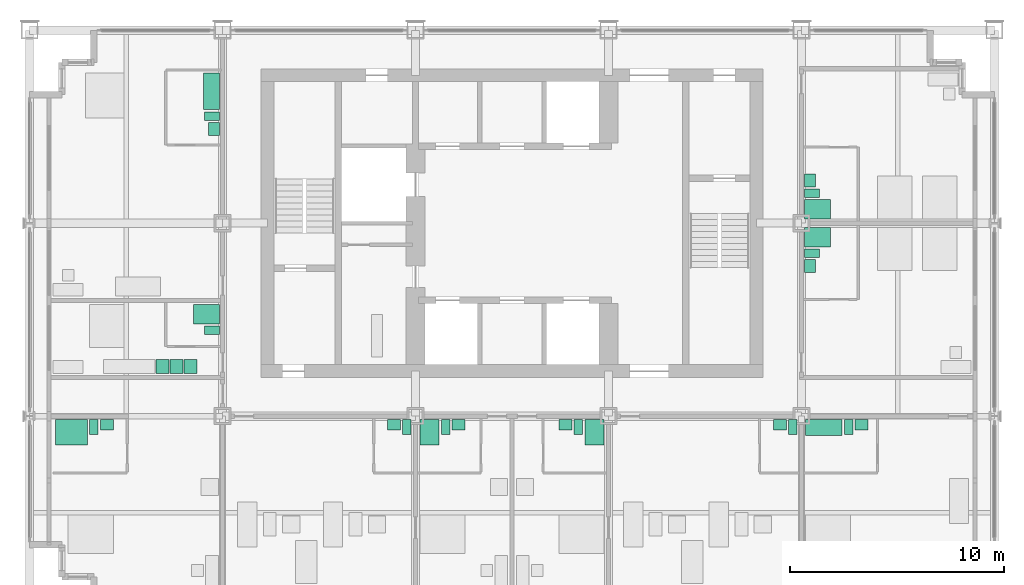
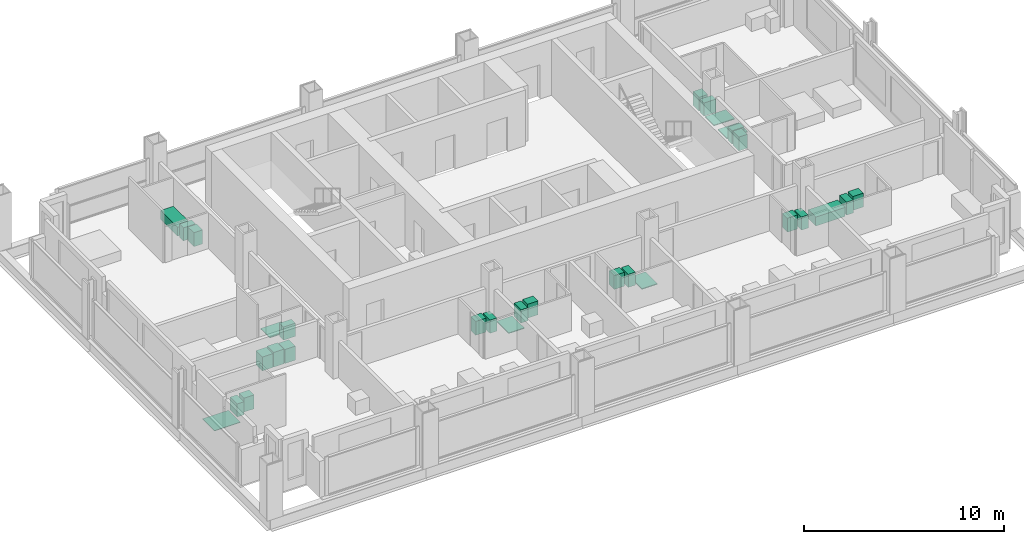
# One storey, part 12 of 13: 27 sanitary terminals, 3 electric appliances.
"""IFC4 building model written with IfcOpenShell, lengths in metres."""

from ifc_helpers import new_model, si_unit, direction, frame, origin, origin_2d, place, context, subcontext, project, spatial, rectangle, extrude, element, save


model = new_model("IFC4")

# Units and contexts
model_context = context("Model", 3, precision=1e-05, world=origin(), true_north=direction((0.0, 1.0)))
body_context = subcontext(model_context, "Body", "Model", "MODEL_VIEW")
ifc_project = project(units=[si_unit("LENGTHUNIT", "METRE"), si_unit("AREAUNIT", "SQUARE_METRE"), si_unit("VOLUMEUNIT", "CUBIC_METRE"), si_unit("PLANEANGLEUNIT", "RADIAN"), si_unit("MASSUNIT", "GRAM", prefix="KILO")], contexts=[model_context])

# Site, building, storey
site_placement = place(None, origin())
site = spatial("IfcSite", under=ifc_project, at=site_placement, CompositionType="ELEMENT")
building_placement = place(site_placement, origin())
building = spatial("IfcBuilding", under=site, at=building_placement, Name="Loomwork Tower", CompositionType="ELEMENT")
storey_placement = place(building_placement, frame((0.0, 0.0, 218.199951171875)))
storey = spatial("IfcBuildingStorey", under=building, at=storey_placement, Name="L60", CompositionType="ELEMENT", Elevation=218.199951171875)

# Sanitary terminals
sanitary_terminal_1_placement = place(storey_placement, frame((1.949951171875, 8.25, 0.0), z_axis=(0.0, 0.0, 1.0), x_axis=(1.0, 0.0, 0.0)))
element("IfcSanitaryTerminal", 1, at=sanitary_terminal_1_placement, inside=storey, Name="Roll-in shower floor L60", PredefinedType="SHOWER", context=body_context, shape_type="SweptSolid", body=[
    extrude(rectangle(XDim=1.5, YDim=1.199951171875, at=origin_2d()), origin(), (0.0, 0.0, 1.0), 0.030029296875),
])
sanitary_terminal_2_placement = place(storey_placement, frame((3.0, 8.5, 0.0), z_axis=(0.0, 0.0, 1.0), x_axis=(1.0, 0.0, 0.0)))
element("IfcSanitaryTerminal", 2, at=sanitary_terminal_2_placement, inside=storey, Name="WC L60", PredefinedType="TOILETPAN", context=body_context, shape_type="SweptSolid", body=[
    extrude(rectangle(XDim=0.39990234375, YDim=0.699951171875, at=origin_2d()), origin(), (0.0, 0.0, 1.0), 0.800048828125),
])
sanitary_terminal_3_placement = place(storey_placement, frame((3.60009765625, 8.60009765625, 0.0), z_axis=(0.0, 0.0, 1.0), x_axis=(1.0, 0.0, 0.0)))
element("IfcSanitaryTerminal", 3, at=sanitary_terminal_3_placement, inside=storey, Name="Basin vanity L60", PredefinedType="WASHHANDBASIN", context=body_context, shape_type="SweptSolid", body=[
    extrude(rectangle(XDim=0.60009765625, YDim=0.5, at=origin_2d()), origin(), (0.0, 0.0, 1.0), 0.85009765625),
])
sanitary_terminal_4_placement = place(storey_placement, frame((17.60009765625, 8.5, 0.0), z_axis=(0.0, 0.0, 1.0), x_axis=(1.0, 0.0, 0.0)))
element("IfcSanitaryTerminal", 4, at=sanitary_terminal_4_placement, inside=storey, Name="WC L60", PredefinedType="TOILETPAN", context=body_context, shape_type="SweptSolid", body=[
    extrude(rectangle(XDim=0.39990234375, YDim=0.699951171875, at=origin_2d()), origin(), (0.0, 0.0, 1.0), 0.800048828125),
])
sanitary_terminal_5_placement = place(storey_placement, frame((17.0, 8.60009765625, 0.0), z_axis=(0.0, 0.0, 1.0), x_axis=(1.0, 0.0, 0.0)))
element("IfcSanitaryTerminal", 5, at=sanitary_terminal_5_placement, inside=storey, Name="Basin vanity L60", PredefinedType="WASHHANDBASIN", context=body_context, shape_type="SweptSolid", body=[
    extrude(rectangle(XDim=0.60009765625, YDim=0.5, at=origin_2d()), origin(), (0.0, 0.0, 1.0), 0.85009765625),
])
sanitary_terminal_6_placement = place(storey_placement, frame((18.64990234375, 8.25, 0.0), z_axis=(0.0, 0.0, 1.0), x_axis=(1.0, 0.0, 0.0)))
element("IfcSanitaryTerminal", 6, at=sanitary_terminal_6_placement, inside=storey, Name="Shower tray L60", PredefinedType="SHOWER", context=body_context, shape_type="SweptSolid", body=[
    extrude(rectangle(XDim=0.89990234375, YDim=1.199951171875, at=origin_2d()), origin(), (0.0, 0.0, 1.0), 0.050048828125),
])
sanitary_terminal_7_placement = place(storey_placement, frame((19.39990234375, 8.5, 0.0), z_axis=(0.0, 0.0, 1.0), x_axis=(1.0, 0.0, 0.0)))
element("IfcSanitaryTerminal", 7, at=sanitary_terminal_7_placement, inside=storey, Name="WC L60", PredefinedType="TOILETPAN", context=body_context, shape_type="SweptSolid", body=[
    extrude(rectangle(XDim=0.39990234375, YDim=0.699951171875, at=origin_2d()), origin(), (0.0, 0.0, 1.0), 0.800048828125),
])
sanitary_terminal_8_placement = place(storey_placement, frame((20.0, 8.60009765625, 0.0), z_axis=(0.0, 0.0, 1.0), x_axis=(1.0, 0.0, 0.0)))
element("IfcSanitaryTerminal", 8, at=sanitary_terminal_8_placement, inside=storey, Name="Basin vanity L60", PredefinedType="WASHHANDBASIN", context=body_context, shape_type="SweptSolid", body=[
    extrude(rectangle(XDim=0.60009765625, YDim=0.5, at=origin_2d()), origin(), (0.0, 0.0, 1.0), 0.85009765625),
])
sanitary_terminal_9_placement = place(storey_placement, frame((26.35009765625, 8.25, 0.0), z_axis=(0.0, 0.0, 1.0), x_axis=(1.0, 0.0, 0.0)))
element("IfcSanitaryTerminal", 9, at=sanitary_terminal_9_placement, inside=storey, Name="Shower tray L60", PredefinedType="SHOWER", context=body_context, shape_type="SweptSolid", body=[
    extrude(rectangle(XDim=0.89990234375, YDim=1.199951171875, at=origin_2d()), origin(), (0.0, 0.0, 1.0), 0.050048828125),
])
sanitary_terminal_10_placement = place(storey_placement, frame((25.60009765625, 8.5, 0.0), z_axis=(0.0, 0.0, 1.0), x_axis=(1.0, 0.0, 0.0)))
element("IfcSanitaryTerminal", 10, at=sanitary_terminal_10_placement, inside=storey, Name="WC L60", PredefinedType="TOILETPAN", context=body_context, shape_type="SweptSolid", body=[
    extrude(rectangle(XDim=0.39990234375, YDim=0.699951171875, at=origin_2d()), origin(), (0.0, 0.0, 1.0), 0.800048828125),
])
sanitary_terminal_11_placement = place(storey_placement, frame((25.0, 8.60009765625, 0.0), z_axis=(0.0, 0.0, 1.0), x_axis=(1.0, 0.0, 0.0)))
element("IfcSanitaryTerminal", 11, at=sanitary_terminal_11_placement, inside=storey, Name="Basin vanity L60", PredefinedType="WASHHANDBASIN", context=body_context, shape_type="SweptSolid", body=[
    extrude(rectangle(XDim=0.60009765625, YDim=0.5, at=origin_2d()), origin(), (0.0, 0.0, 1.0), 0.85009765625),
])
sanitary_terminal_12_placement = place(storey_placement, frame((35.60009765625, 8.5, 0.0), z_axis=(0.0, 0.0, 1.0), x_axis=(1.0, 0.0, 0.0)))
element("IfcSanitaryTerminal", 12, at=sanitary_terminal_12_placement, inside=storey, Name="WC L60", PredefinedType="TOILETPAN", context=body_context, shape_type="SweptSolid", body=[
    extrude(rectangle(XDim=0.39990234375, YDim=0.699951171875, at=origin_2d()), origin(), (0.0, 0.0, 1.0), 0.800048828125),
])
sanitary_terminal_13_placement = place(storey_placement, frame((35.0, 8.60009765625, 0.0), z_axis=(0.0, 0.0, 1.0), x_axis=(1.0, 0.0, 0.0)))
element("IfcSanitaryTerminal", 13, at=sanitary_terminal_13_placement, inside=storey, Name="Basin vanity L60", PredefinedType="WASHHANDBASIN", context=body_context, shape_type="SweptSolid", body=[
    extrude(rectangle(XDim=0.60009765625, YDim=0.5, at=origin_2d()), origin(), (0.0, 0.0, 1.0), 0.85009765625),
])
sanitary_terminal_14_placement = place(storey_placement, frame((37.050048828125, 8.47509765625, 0.0), z_axis=(0.0, 0.0, 1.0), x_axis=(1.0, 0.0, 0.0)))
element("IfcSanitaryTerminal", 14, at=sanitary_terminal_14_placement, inside=storey, Name="Bath L60", PredefinedType="BATH", context=body_context, shape_type="SweptSolid", body=[
    extrude(rectangle(XDim=1.699951171875, YDim=0.75, at=origin_2d()), origin(), (0.0, 0.0, 1.0), 0.550048828125),
])
sanitary_terminal_15_placement = place(storey_placement, frame((38.199951171875, 8.5, 0.0), z_axis=(0.0, 0.0, 1.0), x_axis=(1.0, 0.0, 0.0)))
element("IfcSanitaryTerminal", 15, at=sanitary_terminal_15_placement, inside=storey, Name="WC L60", PredefinedType="TOILETPAN", context=body_context, shape_type="SweptSolid", body=[
    extrude(rectangle(XDim=0.39990234375, YDim=0.699951171875, at=origin_2d()), origin(), (0.0, 0.0, 1.0), 0.800048828125),
])
sanitary_terminal_16_placement = place(storey_placement, frame((38.800048828125, 8.60009765625, 0.0), z_axis=(0.0, 0.0, 1.0), x_axis=(1.0, 0.0, 0.0)))
element("IfcSanitaryTerminal", 16, at=sanitary_terminal_16_placement, inside=storey, Name="Basin vanity L60", PredefinedType="WASHHANDBASIN", context=body_context, shape_type="SweptSolid", body=[
    extrude(rectangle(XDim=0.60009765625, YDim=0.5, at=origin_2d()), origin(), (0.0, 0.0, 1.0), 0.85009765625),
])
sanitary_terminal_17_placement = place(storey_placement, frame((8.25, 13.75, 0.0), z_axis=(0.0, 0.0, 1.0), x_axis=(1.0, 0.0, 0.0)))
element("IfcSanitaryTerminal", 17, at=sanitary_terminal_17_placement, inside=storey, Name="Shower tray L60", PredefinedType="SHOWER", context=body_context, shape_type="SweptSolid", body=[
    extrude(rectangle(XDim=1.199951171875, YDim=0.89990234375, at=origin_2d()), origin(), (0.0, 0.0, 1.0), 0.050048828125),
])
sanitary_terminal_18_placement = place(storey_placement, frame((8.5, 13.0, 0.0), z_axis=(0.0, 0.0, 1.0), x_axis=(1.0, 0.0, 0.0)))
element("IfcSanitaryTerminal", 18, at=sanitary_terminal_18_placement, inside=storey, Name="WC L60", PredefinedType="TOILETPAN", context=body_context, shape_type="SweptSolid", body=[
    extrude(rectangle(XDim=0.699951171875, YDim=0.39990234375, at=origin_2d()), origin(), (0.0, 0.0, 1.0), 0.800048828125),
])

# Electric appliances
electric_appliance_1_placement = place(storey_placement, frame((7.5, 11.324951171875, 0.0), z_axis=(0.0, 0.0, 1.0), x_axis=(1.0, 0.0, 0.0)))
element("IfcElectricAppliance", 19, at=electric_appliance_1_placement, inside=storey, Name="Refrigerator L60", PredefinedType="REFRIGERATOR", context=body_context, shape_type="SweptSolid", body=[
    extrude(rectangle(XDim=0.60009765625, YDim=0.64990234375, at=origin_2d()), origin(), (0.0, 0.0, 1.0), 0.85009765625),
])
electric_appliance_2_placement = place(storey_placement, frame((6.85009765625, 11.324951171875, 0.0), z_axis=(0.0, 0.0, 1.0), x_axis=(1.0, 0.0, 0.0)))
element("IfcElectricAppliance", 20, at=electric_appliance_2_placement, inside=storey, Name="Two-ring cooktop and oven L60", PredefinedType="ELECTRICCOOKER", context=body_context, shape_type="SweptSolid", body=[
    extrude(rectangle(XDim=0.60009765625, YDim=0.64990234375, at=origin_2d()), origin(), (0.0, 0.0, 1.0), 0.89990234375),
])
electric_appliance_3_placement = place(storey_placement, frame((6.199951171875, 11.324951171875, 0.0), z_axis=(0.0, 0.0, 1.0), x_axis=(1.0, 0.0, 0.0)))
element("IfcElectricAppliance", 21, at=electric_appliance_3_placement, inside=storey, Name="Dishwasher L60", PredefinedType="DISHWASHER", context=body_context, shape_type="SweptSolid", body=[
    extrude(rectangle(XDim=0.60009765625, YDim=0.64990234375, at=origin_2d()), origin(), (0.0, 0.0, 1.0), 0.85009765625),
])

# Sanitary terminals
sanitary_terminal_19_placement = place(storey_placement, frame((8.47509765625, 24.14990234375, 0.0), z_axis=(0.0, 0.0, 1.0), x_axis=(1.0, 0.0, 0.0)))
element("IfcSanitaryTerminal", 22, at=sanitary_terminal_19_placement, inside=storey, Name="Bath L60", PredefinedType="BATH", context=body_context, shape_type="SweptSolid", body=[
    extrude(rectangle(XDim=0.75, YDim=1.699951171875, at=origin_2d()), origin(), (0.0, 0.0, 1.0), 0.550048828125),
])
sanitary_terminal_20_placement = place(storey_placement, frame((8.5, 23.0, 0.0), z_axis=(0.0, 0.0, 1.0), x_axis=(1.0, 0.0, 0.0)))
element("IfcSanitaryTerminal", 23, at=sanitary_terminal_20_placement, inside=storey, Name="WC L60", PredefinedType="TOILETPAN", context=body_context, shape_type="SweptSolid", body=[
    extrude(rectangle(XDim=0.699951171875, YDim=0.39990234375, at=origin_2d()), origin(), (0.0, 0.0, 1.0), 0.800048828125),
])
sanitary_terminal_21_placement = place(storey_placement, frame((8.60009765625, 22.39990234375, 0.0), z_axis=(0.0, 0.0, 1.0), x_axis=(1.0, 0.0, 0.0)))
element("IfcSanitaryTerminal", 24, at=sanitary_terminal_21_placement, inside=storey, Name="Basin vanity L60", PredefinedType="WASHHANDBASIN", context=body_context, shape_type="SweptSolid", body=[
    extrude(rectangle(XDim=0.5, YDim=0.60009765625, at=origin_2d()), origin(), (0.0, 0.0, 1.0), 0.85009765625),
])
sanitary_terminal_22_placement = place(storey_placement, frame((36.75, 17.35009765625, 0.0), z_axis=(0.0, 0.0, 1.0), x_axis=(1.0, 0.0, 0.0)))
element("IfcSanitaryTerminal", 25, at=sanitary_terminal_22_placement, inside=storey, Name="Shower tray L60", PredefinedType="SHOWER", context=body_context, shape_type="SweptSolid", body=[
    extrude(rectangle(XDim=1.199951171875, YDim=0.89990234375, at=origin_2d()), origin(), (0.0, 0.0, 1.0), 0.050048828125),
])
sanitary_terminal_23_placement = place(storey_placement, frame((36.5, 16.60009765625, 0.0), z_axis=(0.0, 0.0, 1.0), x_axis=(1.0, 0.0, 0.0)))
element("IfcSanitaryTerminal", 26, at=sanitary_terminal_23_placement, inside=storey, Name="WC L60", PredefinedType="TOILETPAN", context=body_context, shape_type="SweptSolid", body=[
    extrude(rectangle(XDim=0.699951171875, YDim=0.39990234375, at=origin_2d()), origin(), (0.0, 0.0, 1.0), 0.800048828125),
])
sanitary_terminal_24_placement = place(storey_placement, frame((36.39990234375, 16.0, 0.0), z_axis=(0.0, 0.0, 1.0), x_axis=(1.0, 0.0, 0.0)))
element("IfcSanitaryTerminal", 27, at=sanitary_terminal_24_placement, inside=storey, Name="Basin vanity L60", PredefinedType="WASHHANDBASIN", context=body_context, shape_type="SweptSolid", body=[
    extrude(rectangle(XDim=0.5, YDim=0.60009765625, at=origin_2d()), origin(), (0.0, 0.0, 1.0), 0.85009765625),
])
sanitary_terminal_25_placement = place(storey_placement, frame((36.75, 18.64990234375, 0.0), z_axis=(0.0, 0.0, 1.0), x_axis=(1.0, 0.0, 0.0)))
element("IfcSanitaryTerminal", 28, at=sanitary_terminal_25_placement, inside=storey, Name="Shower tray L60", PredefinedType="SHOWER", context=body_context, shape_type="SweptSolid", body=[
    extrude(rectangle(XDim=1.199951171875, YDim=0.89990234375, at=origin_2d()), origin(), (0.0, 0.0, 1.0), 0.050048828125),
])
sanitary_terminal_26_placement = place(storey_placement, frame((36.5, 19.39990234375, 0.0), z_axis=(0.0, 0.0, 1.0), x_axis=(1.0, 0.0, 0.0)))
element("IfcSanitaryTerminal", 29, at=sanitary_terminal_26_placement, inside=storey, Name="WC L60", PredefinedType="TOILETPAN", context=body_context, shape_type="SweptSolid", body=[
    extrude(rectangle(XDim=0.699951171875, YDim=0.39990234375, at=origin_2d()), origin(), (0.0, 0.0, 1.0), 0.800048828125),
])
sanitary_terminal_27_placement = place(storey_placement, frame((36.39990234375, 20.0, 0.0), z_axis=(0.0, 0.0, 1.0), x_axis=(1.0, 0.0, 0.0)))
element("IfcSanitaryTerminal", 30, at=sanitary_terminal_27_placement, inside=storey, Name="Basin vanity L60", PredefinedType="WASHHANDBASIN", context=body_context, shape_type="SweptSolid", body=[
    extrude(rectangle(XDim=0.5, YDim=0.60009765625, at=origin_2d()), origin(), (0.0, 0.0, 1.0), 0.85009765625),
])

save(model, "model.ifc")
